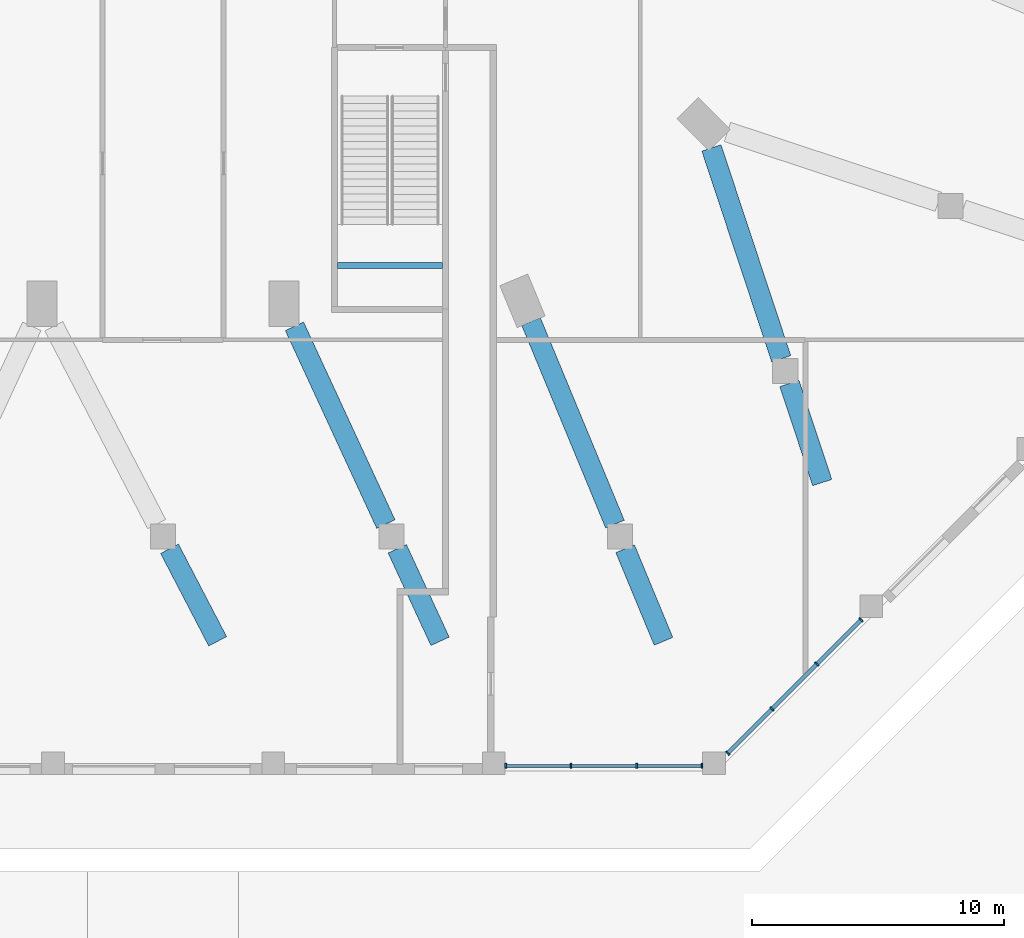
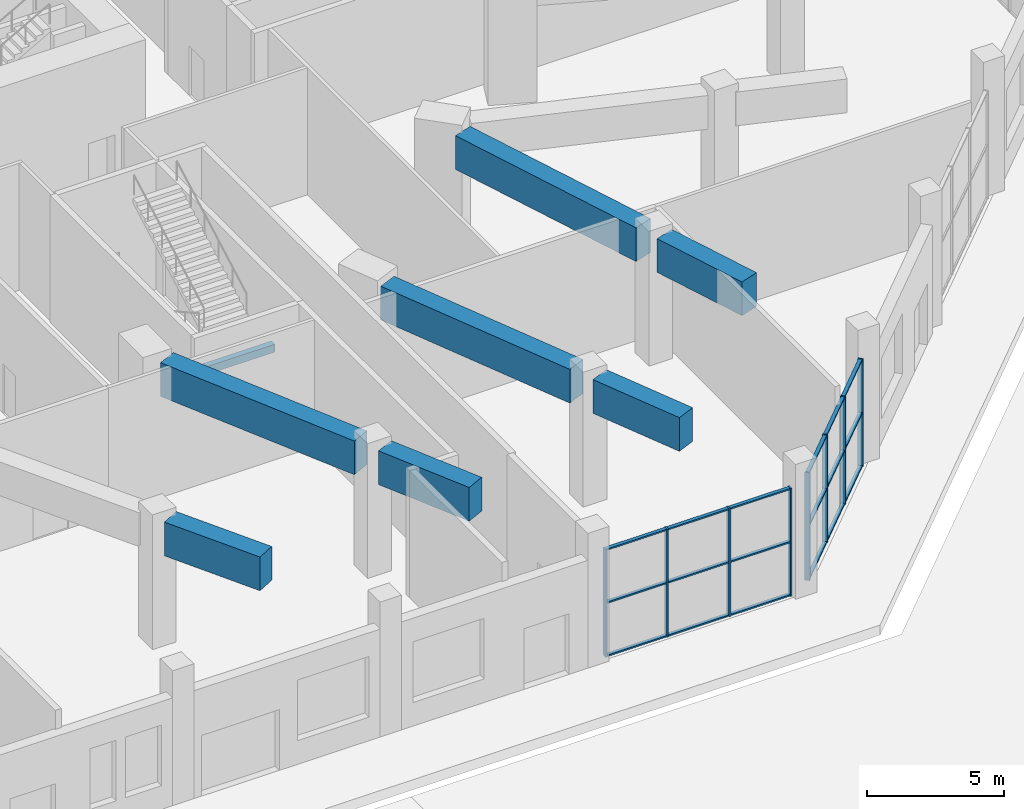
# One storey, part 6 of 36: 26 members, 8 beams, 2 elements without a shape of their own.
"""IFC4 building model written with IfcOpenShell, lengths in metres."""

from ifc_helpers import new_model, si_unit, direction, frame, origin, origin_2d, place, context, subcontext, project, spatial, rectangle, extrude, material, material_profile, profile_set, type_object, element, aggregate, save


model = new_model("IFC4")

# Units and contexts
model_context = context("Model", 3, precision=1e-05, world=origin(), true_north=direction((0.0, 1.0)))
body_context = subcontext(model_context, "Body", "Model", "MODEL_VIEW")
ifc_project = project(units=[si_unit("LENGTHUNIT", "METRE"), si_unit("AREAUNIT", "SQUARE_METRE"), si_unit("VOLUMEUNIT", "CUBIC_METRE"), si_unit("PLANEANGLEUNIT", "RADIAN"), si_unit("MASSUNIT", "GRAM", prefix="KILO")], contexts=[model_context])

# Site, building, storey
site_placement = place(None, origin())
site = spatial("IfcSite", under=ifc_project, at=site_placement, CompositionType="ELEMENT")
building_placement = place(site_placement, origin())
building = spatial("IfcBuilding", under=site, at=building_placement, Name="Msitu Wima Residences", CompositionType="ELEMENT")
storey_placement = place(building_placement, origin())
storey = spatial("IfcBuildingStorey", under=building, at=storey_placement, Name="L00", CompositionType="ELEMENT", Elevation=0.0)

# Beam
ifc_material_1 = material(Name="Concrete C40/50", Category="concrete")
ifc_material_profile_1 = material_profile(ifc_material_1, rectangle(XDim=0.25, YDim=0.35009765625, at=origin_2d()), Name="RC 250x350")
ifc_profile_set_1 = profile_set([ifc_material_profile_1], Name="Concrete C40/50")
beam_type_1 = type_object("IfcBeamType", Name="Landing beam RC 250x350", PredefinedType="BEAM", material=ifc_profile_set_1)
beam_1_placement = place(storey_placement, frame((6.925048828125, -27.050048828125, 2.625), z_axis=(1.0, 0.0, 0.0), x_axis=(0.0, 1.0, 0.0)))
element("IfcBeam", 1, at=beam_1_placement, inside=storey, type_object=beam_type_1, Name="Podium exit stair 7 landing beam", PredefinedType="BEAM", context=body_context, shape_type="SweptSolid", body=[
    extrude(rectangle(XDim=0.25, YDim=0.35009765625, at=origin_2d()), origin(), (0.0, 0.0, 1.0), 4.14990234375),
])

# Curtain wall, members
ifc_material_2 = material(Name="Anodised aluminium, bronze finish, clear laminated low-emissivity double glazing", Category="aluminium")
curtain_wall_type = type_object("IfcCurtainWallType", Name="Curtain wall CW1 shopfront", PredefinedType="NOTDEFINED", material=ifc_material_2)
curtain_wall_1_placement = place(storey_placement, origin())
curtain_wall_1 = element("IfcCurtainWall", 2, at=curtain_wall_1_placement, inside=storey, type_object=curtain_wall_type, Name="Curtain wall CW1 L00 S4", PredefinedType="NOTDEFINED")
ifc_material_3 = material(Name="Anodised aluminium, bronze finish", Category="aluminium")
ifc_material_profile_2 = material_profile(ifc_material_3, rectangle(XDim=0.199951171875, YDim=0.06494140625, at=origin_2d()), Name="Mullion 65x200")
ifc_profile_set_2 = profile_set([ifc_material_profile_2], Name="Anodised aluminium, bronze finish")
member_type_1 = type_object("IfcMemberType", Name="Mullion CW1 65x200", PredefinedType="MULLION", material=ifc_profile_set_2)
member_1_placement = place(storey_placement, frame((13.595947265625, -46.89990234375, 0.0), z_axis=(0.0, 0.0, 1.0), x_axis=(0.0, 1.0, 0.0)))
member_1 = element("IfcMember", 3, at=member_1_placement, type_object=member_type_1, Name="CW1 mullion 1", PredefinedType="MULLION", context=body_context, shape_type="SweptSolid", body=[
    extrude(rectangle(XDim=0.199951171875, YDim=0.06494140625, at=origin_2d()), origin(), (0.0, 0.0, 1.0), 4.800048828125),
])
member_2_placement = place(storey_placement, frame((16.177734375, -46.89990234375, 0.0), z_axis=(0.0, 0.0, 1.0), x_axis=(0.0, 1.0, 0.0)))
member_2 = element("IfcMember", 4, at=member_2_placement, type_object=member_type_1, Name="CW1 mullion 2", PredefinedType="MULLION", context=body_context, shape_type="SweptSolid", body=[
    extrude(rectangle(XDim=0.199951171875, YDim=0.06494140625, at=origin_2d()), origin(), (0.0, 0.0, 1.0), 4.800048828125),
])
member_3_placement = place(storey_placement, frame((18.791748046875, -46.89990234375, 0.0), z_axis=(0.0, 0.0, 1.0), x_axis=(0.0, 1.0, 0.0)))
member_3 = element("IfcMember", 5, at=member_3_placement, type_object=member_type_1, Name="CW1 mullion 3", PredefinedType="MULLION", context=body_context, shape_type="SweptSolid", body=[
    extrude(rectangle(XDim=0.199951171875, YDim=0.06494140625, at=origin_2d()), origin(), (0.0, 0.0, 1.0), 4.800048828125),
])
member_4_placement = place(storey_placement, frame((21.373291015625, -46.89990234375, 0.0), z_axis=(0.0, 0.0, 1.0), x_axis=(0.0, 1.0, 0.0)))
member_4 = element("IfcMember", 6, at=member_4_placement, type_object=member_type_1, Name="CW1 mullion 4", PredefinedType="MULLION", context=body_context, shape_type="SweptSolid", body=[
    extrude(rectangle(XDim=0.199951171875, YDim=0.06494140625, at=origin_2d()), origin(), (0.0, 0.0, 1.0), 4.800048828125),
])

curtain_wall_2_placement = place(storey_placement, origin())
curtain_wall_2 = element("IfcCurtainWall", 7, at=curtain_wall_2_placement, inside=storey, type_object=curtain_wall_type, Name="Curtain wall CW1 L00 SE0", PredefinedType="NOTDEFINED")
member_5_placement = place(storey_placement, frame((22.3994140625, -46.397705078125, 0.0), z_axis=(0.0, 0.0, 1.0), x_axis=(-0.707106781187, 0.707106781187, 0.0)))
member_5 = element("IfcMember", 8, at=member_5_placement, type_object=member_type_1, Name="CW1 mullion 1", PredefinedType="MULLION", context=body_context, shape_type="SweptSolid", body=[
    extrude(rectangle(XDim=0.199951171875, YDim=0.06494140625, at=origin_2d()), origin(), (0.0, 0.0, 1.0), 4.800048828125),
])
member_6_placement = place(storey_placement, frame((24.1552734375, -44.64208984375, 0.0), z_axis=(0.0, 0.0, 1.0), x_axis=(-0.707106781187, 0.707106781187, 0.0)))
member_6 = element("IfcMember", 9, at=member_6_placement, type_object=member_type_1, Name="CW1 mullion 2", PredefinedType="MULLION", context=body_context, shape_type="SweptSolid", body=[
    extrude(rectangle(XDim=0.199951171875, YDim=0.06494140625, at=origin_2d()), origin(), (0.0, 0.0, 1.0), 4.800048828125),
])
member_7_placement = place(storey_placement, frame((25.933837890625, -42.86328125, 0.0), z_axis=(0.0, 0.0, 1.0), x_axis=(-0.707106781187, 0.707106781187, 0.0)))
member_7 = element("IfcMember", 10, at=member_7_placement, type_object=member_type_1, Name="CW1 mullion 3", PredefinedType="MULLION", context=body_context, shape_type="SweptSolid", body=[
    extrude(rectangle(XDim=0.199951171875, YDim=0.06494140625, at=origin_2d()), origin(), (0.0, 0.0, 1.0), 4.800048828125),
])
member_8_placement = place(storey_placement, frame((27.689697265625, -41.107666015625, 0.0), z_axis=(0.0, 0.0, 1.0), x_axis=(-0.707106781187, 0.707106781187, 0.0)))
member_8 = element("IfcMember", 11, at=member_8_placement, type_object=member_type_1, Name="CW1 mullion 4", PredefinedType="MULLION", context=body_context, shape_type="SweptSolid", body=[
    extrude(rectangle(XDim=0.199951171875, YDim=0.06494140625, at=origin_2d()), origin(), (0.0, 0.0, 1.0), 4.800048828125),
])

# Beams
ifc_material_4 = material(Name="Concrete C60/75", Category="concrete")
ifc_material_profile_3 = material_profile(ifc_material_4, rectangle(XDim=0.800048828125, YDim=1.5, at=origin_2d()), Name="RC 800x1500")
ifc_profile_set_3 = profile_set([ifc_material_profile_3], Name="Concrete C60/75")
beam_type_2 = type_object("IfcBeamType", Name="Podium cantilever girder RC 800x1500 Concrete C60/75", PredefinedType="BEAM", material=ifc_profile_set_3)
beam_2_placement = place(storey_placement, frame((5.2109375, -29.464111328125, 4.89990234375), z_axis=(0.419573918432, -0.907721172482, 0.0), x_axis=(0.907721172482, 0.419573918432, 0.0)))
element("IfcBeam", 12, at=beam_2_placement, inside=storey, type_object=beam_type_2, Name="Podium cantilever girder L01 C-S3 back-span", PredefinedType="BEAM", context=body_context, shape_type="SweptSolid", body=[
    extrude(rectangle(XDim=0.800048828125, YDim=1.5, at=origin_2d()), origin(), (0.0, 0.0, 1.0), 8.644287109375),
])
beam_3_placement = place(storey_placement, frame((14.5966796875, -29.274658203125, 4.89990234375), z_axis=(0.382667433171, -0.923886159432, 0.0), x_axis=(0.923886159432, 0.382667433171, 0.0)))
element("IfcBeam", 13, at=beam_3_placement, inside=storey, type_object=beam_type_2, Name="Podium cantilever girder L01 C-SE0 back-span", PredefinedType="BEAM", context=body_context, shape_type="SweptSolid", body=[
    extrude(rectangle(XDim=0.800048828125, YDim=1.5, at=origin_2d()), origin(), (0.0, 0.0, 1.0), 8.698486328125),
])
beam_4_placement = place(storey_placement, frame((21.753662109375, -22.3857421875, 4.89990234375), z_axis=(0.314216293001, -0.949351421347, 0.0), x_axis=(0.949351421347, 0.314216293001, 0.0)))
element("IfcBeam", 14, at=beam_4_placement, inside=storey, type_object=beam_type_2, Name="Podium cantilever girder L01 C-SE1 back-span", PredefinedType="BEAM", context=body_context, shape_type="SweptSolid", body=[
    extrude(rectangle(XDim=0.800048828125, YDim=1.5, at=origin_2d()), origin(), (0.0, 0.0, 1.0), 8.81494140625),
])
ifc_material_profile_4 = material_profile(ifc_material_4, rectangle(XDim=0.800048828125, YDim=1.5, at=origin_2d()), Name="RC 800x1500")
ifc_profile_set_4 = profile_set([ifc_material_profile_4], Name="Concrete C60/75")
beam_type_3 = type_object("IfcBeamType", Name="Podium cantilever girder tip RC 800x1500 Concrete C60/75", PredefinedType="BEAM", material=ifc_profile_set_4)
beam_5_placement = place(storey_placement, frame((0.254638671875, -38.289306640625, 4.89990234375), z_axis=(0.46154961132, -0.887114398649, 0.0), x_axis=(0.887114398649, 0.46154961132, 0.0)))
element("IfcBeam", 15, at=beam_5_placement, inside=storey, type_object=beam_type_3, Name="Podium cantilever girder L01 C-S2 cantilever", PredefinedType="BEAM", context=body_context, shape_type="SweptSolid", body=[
    extrude(rectangle(XDim=0.800048828125, YDim=1.5, at=origin_2d()), origin(), (0.0, 0.0, 1.0), 4.138671875),
])
beam_6_placement = place(storey_placement, frame((9.2900390625, -38.2890625, 4.89990234375), z_axis=(0.419578622089, -0.907718998306, 0.0), x_axis=(0.907718998306, 0.419578622089, 0.0)))
element("IfcBeam", 16, at=beam_6_placement, inside=storey, type_object=beam_type_3, Name="Podium cantilever girder L01 C-S3 cantilever", PredefinedType="BEAM", context=body_context, shape_type="SweptSolid", body=[
    extrude(rectangle(XDim=0.800048828125, YDim=1.5, at=origin_2d()), origin(), (0.0, 0.0, 1.0), 4.045166015625),
])
beam_7_placement = place(storey_placement, frame((18.330322265625, -38.288818359375, 4.89990234375), z_axis=(0.382704380924, -0.923870855056, 0.0), x_axis=(0.923870855056, 0.382704380924, 0.0)))
element("IfcBeam", 17, at=beam_7_placement, inside=storey, type_object=beam_type_3, Name="Podium cantilever girder L01 C-SE0 cantilever", PredefinedType="BEAM", context=body_context, shape_type="SweptSolid", body=[
    extrude(rectangle(XDim=0.800048828125, YDim=1.5, at=origin_2d()), origin(), (0.0, 0.0, 1.0), 3.974853515625),
])
beam_8_placement = place(storey_placement, frame((24.846923828125, -31.731201171875, 4.89990234375), z_axis=(0.314264410189, -0.949335494169, 0.0), x_axis=(0.949335494169, 0.314264410189, 0.0)))
element("IfcBeam", 18, at=beam_8_placement, inside=storey, type_object=beam_type_3, Name="Podium cantilever girder L01 C-SE1 cantilever", PredefinedType="BEAM", context=body_context, shape_type="SweptSolid", body=[
    extrude(rectangle(XDim=0.800048828125, YDim=1.5, at=origin_2d()), origin(), (0.0, 0.0, 1.0), 4.142333984375),
])

# Member
ifc_material_profile_5 = material_profile(ifc_material_3, rectangle(XDim=0.14990234375, YDim=0.06494140625, at=origin_2d()), Name="Transom 65x150")
ifc_profile_set_5 = profile_set([ifc_material_profile_5], Name="Anodised aluminium, bronze finish")
member_type_2 = type_object("IfcMemberType", Name="Transom CW1 65x150", PredefinedType="USERDEFINED", material=ifc_profile_set_5)
member_9_placement = place(storey_placement, frame((13.62841796875, -46.89990234375, 0.032470703125), z_axis=(1.0, 0.0, 0.0), x_axis=(0.0, 1.0, 0.0)))
member_9 = element("IfcMember", 19, at=member_9_placement, type_object=member_type_2, Name="CW1 transom 1.1", ObjectType="TRANSOM", PredefinedType="USERDEFINED", context=body_context, shape_type="SweptSolid", body=[
    extrude(rectangle(XDim=0.14990234375, YDim=0.06494140625, at=origin_2d()), origin(), (0.0, 0.0, 1.0), 2.5166015625),
])

member_10_placement = place(storey_placement, frame((13.62841796875, -46.89990234375, 2.39990234375), z_axis=(1.0, 0.0, 0.0), x_axis=(0.0, 1.0, 0.0)))
member_10 = element("IfcMember", 20, at=member_10_placement, type_object=member_type_2, Name="CW1 transom 1.2", ObjectType="TRANSOM", PredefinedType="USERDEFINED", context=body_context, shape_type="SweptSolid", body=[
    extrude(rectangle(XDim=0.14990234375, YDim=0.06494140625, at=origin_2d()), origin(), (0.0, 0.0, 1.0), 2.5166015625),
])

member_11_placement = place(storey_placement, frame((13.62841796875, -46.89990234375, 4.767578125), z_axis=(1.0, 0.0, 0.0), x_axis=(0.0, 1.0, 0.0)))
member_11 = element("IfcMember", 21, at=member_11_placement, type_object=member_type_2, Name="CW1 transom 1.3", ObjectType="TRANSOM", PredefinedType="USERDEFINED", context=body_context, shape_type="SweptSolid", body=[
    extrude(rectangle(XDim=0.14990234375, YDim=0.06494140625, at=origin_2d()), origin(), (0.0, 0.0, 1.0), 2.5166015625),
])

member_12_placement = place(storey_placement, frame((16.210205078125, -46.89990234375, 0.032470703125), z_axis=(1.0, 0.0, 0.0), x_axis=(0.0, 1.0, 0.0)))
member_12 = element("IfcMember", 22, at=member_12_placement, type_object=member_type_2, Name="CW1 transom 2.1", ObjectType="TRANSOM", PredefinedType="USERDEFINED", context=body_context, shape_type="SweptSolid", body=[
    extrude(rectangle(XDim=0.14990234375, YDim=0.06494140625, at=origin_2d()), origin(), (0.0, 0.0, 1.0), 2.549072265625),
])

member_13_placement = place(storey_placement, frame((16.210205078125, -46.89990234375, 2.39990234375), z_axis=(1.0, 0.0, 0.0), x_axis=(0.0, 1.0, 0.0)))
member_13 = element("IfcMember", 23, at=member_13_placement, type_object=member_type_2, Name="CW1 transom 2.2", ObjectType="TRANSOM", PredefinedType="USERDEFINED", context=body_context, shape_type="SweptSolid", body=[
    extrude(rectangle(XDim=0.14990234375, YDim=0.06494140625, at=origin_2d()), origin(), (0.0, 0.0, 1.0), 2.549072265625),
])

member_14_placement = place(storey_placement, frame((16.210205078125, -46.89990234375, 4.767578125), z_axis=(1.0, 0.0, 0.0), x_axis=(0.0, 1.0, 0.0)))
member_14 = element("IfcMember", 24, at=member_14_placement, type_object=member_type_2, Name="CW1 transom 2.3", ObjectType="TRANSOM", PredefinedType="USERDEFINED", context=body_context, shape_type="SweptSolid", body=[
    extrude(rectangle(XDim=0.14990234375, YDim=0.06494140625, at=origin_2d()), origin(), (0.0, 0.0, 1.0), 2.549072265625),
])

member_15_placement = place(storey_placement, frame((18.82421875, -46.89990234375, 0.032470703125), z_axis=(1.0, 0.0, 0.0), x_axis=(0.0, 1.0, 0.0)))
member_15 = element("IfcMember", 25, at=member_15_placement, type_object=member_type_2, Name="CW1 transom 3.1", ObjectType="TRANSOM", PredefinedType="USERDEFINED", context=body_context, shape_type="SweptSolid", body=[
    extrude(rectangle(XDim=0.14990234375, YDim=0.06494140625, at=origin_2d()), origin(), (0.0, 0.0, 1.0), 2.5166015625),
])

member_16_placement = place(storey_placement, frame((18.82421875, -46.89990234375, 2.39990234375), z_axis=(1.0, 0.0, 0.0), x_axis=(0.0, 1.0, 0.0)))
member_16 = element("IfcMember", 26, at=member_16_placement, type_object=member_type_2, Name="CW1 transom 3.2", ObjectType="TRANSOM", PredefinedType="USERDEFINED", context=body_context, shape_type="SweptSolid", body=[
    extrude(rectangle(XDim=0.14990234375, YDim=0.06494140625, at=origin_2d()), origin(), (0.0, 0.0, 1.0), 2.5166015625),
])

member_17_placement = place(storey_placement, frame((18.82421875, -46.89990234375, 4.767578125), z_axis=(1.0, 0.0, 0.0), x_axis=(0.0, 1.0, 0.0)))
member_17 = element("IfcMember", 27, at=member_17_placement, type_object=member_type_2, Name="CW1 transom 3.3", ObjectType="TRANSOM", PredefinedType="USERDEFINED", context=body_context, shape_type="SweptSolid", body=[
    extrude(rectangle(XDim=0.14990234375, YDim=0.06494140625, at=origin_2d()), origin(), (0.0, 0.0, 1.0), 2.5166015625),
])

aggregate(curtain_wall_1, [member_1, member_2, member_3, member_4, member_9, member_10, member_11, member_12, member_13, member_14, member_15, member_16, member_17])

member_18_placement = place(storey_placement, frame((22.422607421875, -46.374755859375, 0.032470703125), z_axis=(0.707106781187, 0.707106781187, 0.0), x_axis=(-0.707106781187, 0.707106781187, 0.0)))
member_18 = element("IfcMember", 28, at=member_18_placement, type_object=member_type_2, Name="CW1 transom 1.1", ObjectType="TRANSOM", PredefinedType="USERDEFINED", context=body_context, shape_type="SweptSolid", body=[
    extrude(rectangle(XDim=0.14990234375, YDim=0.06494140625, at=origin_2d()), origin(), (0.0, 0.0, 1.0), 2.41796875),
])

member_19_placement = place(storey_placement, frame((22.422607421875, -46.374755859375, 2.39990234375), z_axis=(0.707106781187, 0.707106781187, 0.0), x_axis=(-0.707106781187, 0.707106781187, 0.0)))
member_19 = element("IfcMember", 29, at=member_19_placement, type_object=member_type_2, Name="CW1 transom 1.2", ObjectType="TRANSOM", PredefinedType="USERDEFINED", context=body_context, shape_type="SweptSolid", body=[
    extrude(rectangle(XDim=0.14990234375, YDim=0.06494140625, at=origin_2d()), origin(), (0.0, 0.0, 1.0), 2.41796875),
])

member_20_placement = place(storey_placement, frame((22.422607421875, -46.374755859375, 4.767578125), z_axis=(0.707106781187, 0.707106781187, 0.0), x_axis=(-0.707106781187, 0.707106781187, 0.0)))
member_20 = element("IfcMember", 30, at=member_20_placement, type_object=member_type_2, Name="CW1 transom 1.3", ObjectType="TRANSOM", PredefinedType="USERDEFINED", context=body_context, shape_type="SweptSolid", body=[
    extrude(rectangle(XDim=0.14990234375, YDim=0.06494140625, at=origin_2d()), origin(), (0.0, 0.0, 1.0), 2.41796875),
])

member_21_placement = place(storey_placement, frame((24.17822265625, -44.619140625, 0.032470703125), z_axis=(0.70705696564, 0.707156593224, 0.0), x_axis=(-0.707156593224, 0.70705696564, 0.0)))
member_21 = element("IfcMember", 31, at=member_21_placement, type_object=member_type_2, Name="CW1 transom 2.1", ObjectType="TRANSOM", PredefinedType="USERDEFINED", context=body_context, shape_type="SweptSolid", body=[
    extrude(rectangle(XDim=0.14990234375, YDim=0.06494140625, at=origin_2d()), origin(), (0.0, 0.0, 1.0), 2.450439453125),
])

member_22_placement = place(storey_placement, frame((24.17822265625, -44.619140625, 2.39990234375), z_axis=(0.70705696564, 0.707156593224, 0.0), x_axis=(-0.707156593224, 0.70705696564, 0.0)))
member_22 = element("IfcMember", 32, at=member_22_placement, type_object=member_type_2, Name="CW1 transom 2.2", ObjectType="TRANSOM", PredefinedType="USERDEFINED", context=body_context, shape_type="SweptSolid", body=[
    extrude(rectangle(XDim=0.14990234375, YDim=0.06494140625, at=origin_2d()), origin(), (0.0, 0.0, 1.0), 2.450439453125),
])

member_23_placement = place(storey_placement, frame((24.17822265625, -44.619140625, 4.767578125), z_axis=(0.70705696564, 0.707156593224, 0.0), x_axis=(-0.707156593224, 0.70705696564, 0.0)))
member_23 = element("IfcMember", 33, at=member_23_placement, type_object=member_type_2, Name="CW1 transom 2.3", ObjectType="TRANSOM", PredefinedType="USERDEFINED", context=body_context, shape_type="SweptSolid", body=[
    extrude(rectangle(XDim=0.14990234375, YDim=0.06494140625, at=origin_2d()), origin(), (0.0, 0.0, 1.0), 2.450439453125),
])

member_24_placement = place(storey_placement, frame((25.956787109375, -42.84033203125, 0.032470703125), z_axis=(0.70715726177, 0.707056296999, 0.0), x_axis=(-0.707056296999, 0.70715726177, 0.0)))
member_24 = element("IfcMember", 34, at=member_24_placement, type_object=member_type_2, Name="CW1 transom 3.1", ObjectType="TRANSOM", PredefinedType="USERDEFINED", context=body_context, shape_type="SweptSolid", body=[
    extrude(rectangle(XDim=0.14990234375, YDim=0.06494140625, at=origin_2d()), origin(), (0.0, 0.0, 1.0), 2.41796875),
])

member_25_placement = place(storey_placement, frame((25.956787109375, -42.84033203125, 2.39990234375), z_axis=(0.70715726177, 0.707056296999, 0.0), x_axis=(-0.707056296999, 0.70715726177, 0.0)))
member_25 = element("IfcMember", 35, at=member_25_placement, type_object=member_type_2, Name="CW1 transom 3.2", ObjectType="TRANSOM", PredefinedType="USERDEFINED", context=body_context, shape_type="SweptSolid", body=[
    extrude(rectangle(XDim=0.14990234375, YDim=0.06494140625, at=origin_2d()), origin(), (0.0, 0.0, 1.0), 2.41796875),
])

member_26_placement = place(storey_placement, frame((25.956787109375, -42.84033203125, 4.767578125), z_axis=(0.70715726177, 0.707056296999, 0.0), x_axis=(-0.707056296999, 0.70715726177, 0.0)))
member_26 = element("IfcMember", 36, at=member_26_placement, type_object=member_type_2, Name="CW1 transom 3.3", ObjectType="TRANSOM", PredefinedType="USERDEFINED", context=body_context, shape_type="SweptSolid", body=[
    extrude(rectangle(XDim=0.14990234375, YDim=0.06494140625, at=origin_2d()), origin(), (0.0, 0.0, 1.0), 2.41796875),
])

aggregate(curtain_wall_2, [member_5, member_6, member_7, member_8, member_18, member_19, member_20, member_21, member_22, member_23, member_24, member_25, member_26])

save(model, "model.ifc")
